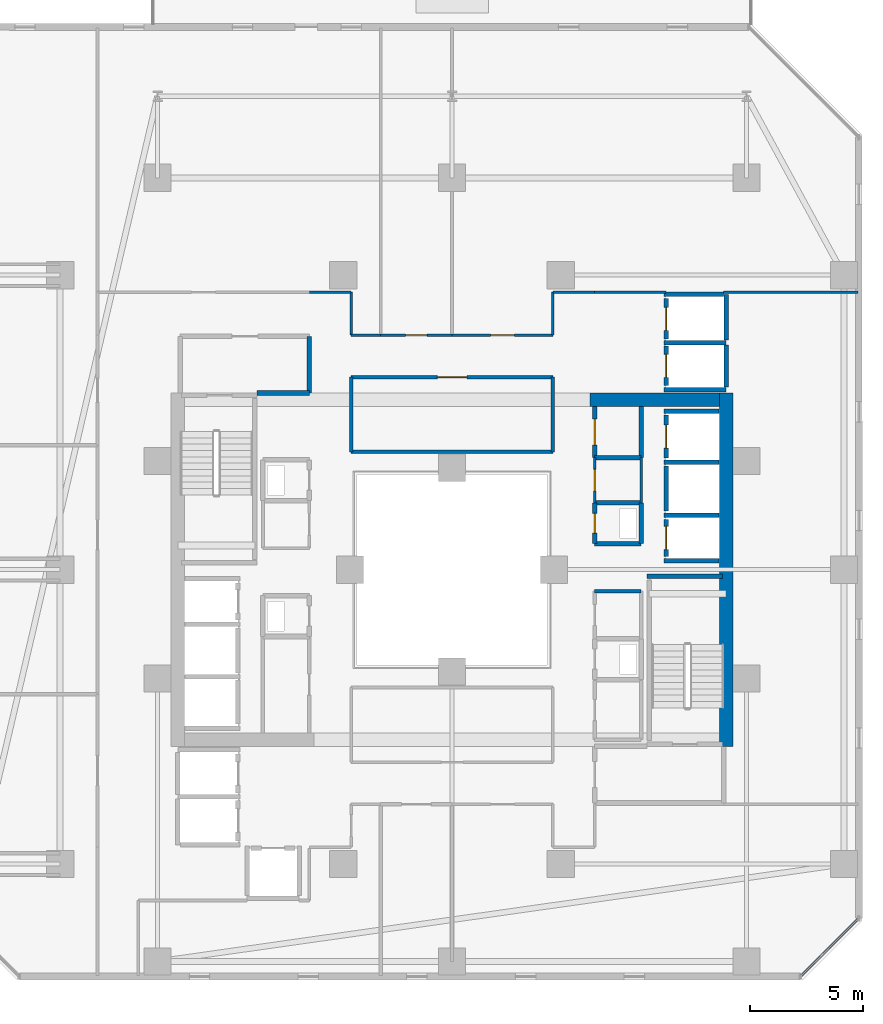
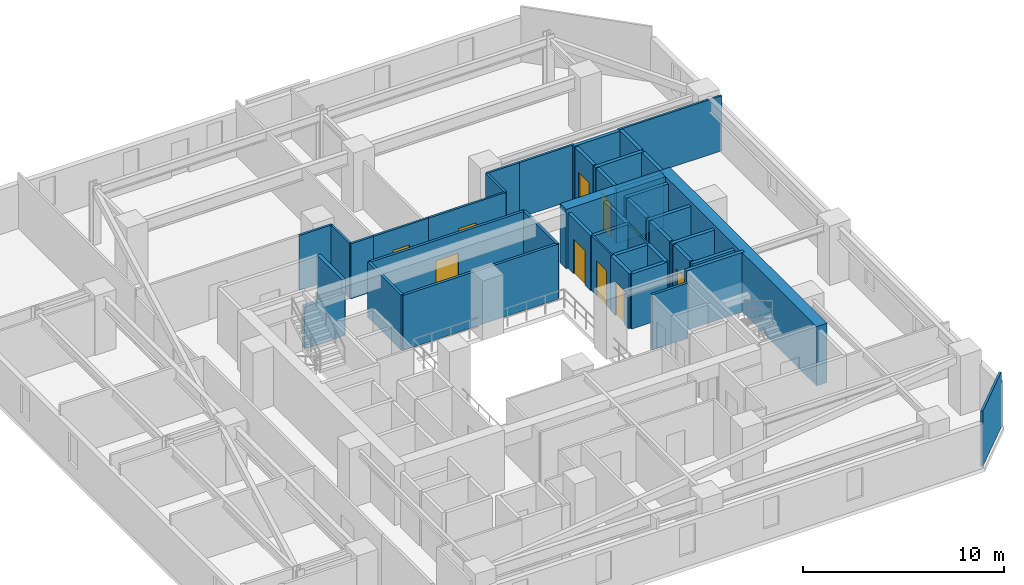
# One storey, part 23 of 31: 43 walls, 10 doors, 10 openings.
"""IFC4 building model written with IfcOpenShell, lengths in metres."""

from ifc_helpers import new_model, si_unit, direction, frame, frame_2d, origin, place, context, subcontext, project, spatial, rectangle, extrude, material, layer, layer_set, type_object, element, fill, save


model = new_model("IFC4")

# Units and contexts
model_context = context("Model", 3, precision=1e-05, world=origin(), true_north=direction((0.0, 1.0)))
body_context = subcontext(model_context, "Body", "Model", "MODEL_VIEW")
ifc_project = project(units=[si_unit("LENGTHUNIT", "METRE"), si_unit("AREAUNIT", "SQUARE_METRE"), si_unit("VOLUMEUNIT", "CUBIC_METRE"), si_unit("PLANEANGLEUNIT", "RADIAN"), si_unit("MASSUNIT", "GRAM", prefix="KILO")], contexts=[model_context])

# Site, building, storey
site_placement = place(None, origin())
site = spatial("IfcSite", under=ifc_project, at=site_placement, CompositionType="ELEMENT")
building_placement = place(site_placement, origin())
building = spatial("IfcBuilding", under=site, at=building_placement, Name="Thornwick Lancets Civic Towers", CompositionType="ELEMENT")
storey_placement = place(building_placement, frame((0.0, 0.0, 90.89990234375)))
storey = spatial("IfcBuildingStorey", under=building, at=storey_placement, Name="L23", CompositionType="ELEMENT", Elevation=90.89990234375)

# Wall, opening, door
ifc_material_1 = material(Name="Concrete blockwork C40/50", Category="masonry")
ifc_layer_1 = layer(ifc_material_1, 0.199951171875, Name="Concrete blockwork C40/50")
ifc_layer_set_1 = layer_set([ifc_layer_1], Name="Concrete blockwork C40/50")
wall_type_1 = type_object("IfcWallType", Name="WALL_COMP_200", PredefinedType="STANDARD", material=ifc_layer_set_1)
wall_1_placement = place(storey_placement, frame((97.949951171875, 29.219970703125, 0.0), z_axis=(0.0, 0.0, 1.0), x_axis=(0.0, -1.0, 0.0)))
wall_1 = element("IfcWall", 1, at=wall_1_placement, inside=storey, type_object=wall_type_1, Name="L23 Hoistway Front Wall FL-B1", PredefinedType="STANDARD", context=body_context, shape_type="SweptSolid", body=[
    extrude(rectangle(XDim=1.639892578125, YDim=0.199951171875, at=frame_2d((0.81982421875, 0.0))), origin(), (0.0, 0.0, 1.0), 3.340087890625),
])
opening_1_placement = place(wall_1_placement, frame((0.31005859375, 0.0, 0.0)))
opening_1 = element("IfcOpeningElement", 2, at=opening_1_placement, cuts=wall_1, Name="Opening LD-FL-B1", PredefinedType="OPENING", context=body_context, shape_type="SweptSolid", body=[
    extrude(rectangle(XDim=1.02001953125, YDim=2.06005859375, at=frame_2d((0.510009765625, 1.030029296875))), frame((0.0, 0.10986328125, 0.0), z_axis=(0.0, -1.0, 0.0), x_axis=(1.0, 0.0, 0.0)), (0.0, 0.0, 1.0), 0.219970703125),
])
ifc_material_2 = material(Name="Brushed bronze stainless steel", Category="steel")
door_type_1 = type_object("IfcDoorType", Name="DOOR_LIFT_SLIDE", OperationType="SLIDING_TO_LEFT", PredefinedType="DOOR", material=ifc_material_2)
door_1_placement = place(opening_1_placement, origin())
door_1 = element("IfcDoor", 3, at=door_1_placement, inside=storey, type_object=door_type_1, Name="L23 Sliding Lift Landing Door LD-FL-B1", OperationType="SLIDING_TO_LEFT", OverallHeight=2.06005859375, OverallWidth=1.02001953125, PredefinedType="DOOR", context=body_context, shape_type="SweptSolid", body=[
    extrude(rectangle(XDim=1.02001953125, YDim=2.06005859375, at=frame_2d((0.510009765625, 1.030029296875))), frame((0.0, 0.02490234375, 0.0), z_axis=(0.0, -1.0, 0.0), x_axis=(1.0, 0.0, 0.0)), (0.0, 0.0, 1.0), 0.050048828125),
])
fill(opening_1, door_1)

# Wall
wall_2_placement = place(storey_placement, frame((97.949951171875, 31.570068359375, 0.0), z_axis=(0.0, 0.0, 1.0), x_axis=(0.0, -1.0, 0.0)))
element("IfcWall", 4, at=wall_2_placement, inside=storey, type_object=wall_type_1, Name="L23 Hoistway Front Wall PL-BH1", PredefinedType="STANDARD", context=body_context, shape_type="SweptSolid", body=[
    extrude(rectangle(XDim=1.989990234375, YDim=0.199951171875, at=frame_2d((0.9951171875, 0.0))), origin(), (0.0, 0.0, 1.0), 3.340087890625),
])

# Wall, opening, door
wall_3_placement = place(storey_placement, frame((97.949951171875, 33.820068359375, 0.0), z_axis=(0.0, 0.0, 1.0), x_axis=(0.0, -1.0, 0.0)))
wall_3 = element("IfcWall", 5, at=wall_3_placement, inside=storey, type_object=wall_type_1, Name="L23 Hoistway Front Wall PL-BL1", PredefinedType="STANDARD", context=body_context, shape_type="SweptSolid", body=[
    extrude(rectangle(XDim=1.89013671875, YDim=0.199951171875, at=frame_2d((0.945068359375, 0.0))), origin(), (0.0, 0.0, 1.0), 3.340087890625),
])
opening_2_placement = place(wall_3_placement, frame((0.43505859375, 0.0, 0.0)))
opening_2 = element("IfcOpeningElement", 6, at=opening_2_placement, cuts=wall_3, Name="Opening LD-PL-BL1", PredefinedType="OPENING", context=body_context, shape_type="SweptSolid", body=[
    extrude(rectangle(XDim=1.02001953125, YDim=2.06005859375, at=frame_2d((0.510009765625, 1.030029296875))), frame((0.0, 0.10986328125, 0.0), z_axis=(0.0, -1.0, 0.0), x_axis=(1.0, 0.0, 0.0)), (0.0, 0.0, 1.0), 0.219970703125),
])
door_2_placement = place(opening_2_placement, origin())
door_2 = element("IfcDoor", 7, at=door_2_placement, inside=storey, type_object=door_type_1, Name="L23 Sliding Lift Landing Door LD-PL-BL1", OperationType="SLIDING_TO_LEFT", OverallHeight=2.06005859375, OverallWidth=1.02001953125, PredefinedType="DOOR", context=body_context, shape_type="SweptSolid", body=[
    extrude(rectangle(XDim=1.02001953125, YDim=2.06005859375, at=frame_2d((0.510009765625, 1.030029296875))), frame((0.0, 0.02490234375, 0.0), z_axis=(0.0, -1.0, 0.0), x_axis=(1.0, 0.0, 0.0)), (0.0, 0.0, 1.0), 0.050048828125),
])
fill(opening_2, door_2)

wall_4_placement = place(storey_placement, frame((97.949951171875, 36.8701171875, 0.0), z_axis=(0.0, 0.0, 1.0), x_axis=(0.0, -1.0, 0.0)))
wall_4 = element("IfcWall", 8, at=wall_4_placement, inside=storey, type_object=wall_type_1, Name="L23 Hoistway Front Wall PL-BL2", PredefinedType="STANDARD", context=body_context, shape_type="SweptSolid", body=[
    extrude(rectangle(XDim=1.740234375, YDim=0.199951171875, at=frame_2d((0.8701171875, 0.0))), origin(), (0.0, 0.0, 1.0), 3.340087890625),
])
opening_3_placement = place(wall_4_placement, frame((0.360107421875, 0.0, 0.0)))
opening_3 = element("IfcOpeningElement", 9, at=opening_3_placement, cuts=wall_4, Name="Opening LD-PL-BL2", PredefinedType="OPENING", context=body_context, shape_type="SweptSolid", body=[
    extrude(rectangle(XDim=1.02001953125, YDim=2.06005859375, at=frame_2d((0.510009765625, 1.030029296875))), frame((0.0, 0.10986328125, 0.0), z_axis=(0.0, -1.0, 0.0), x_axis=(1.0, 0.0, 0.0)), (0.0, 0.0, 1.0), 0.219970703125),
])
door_3_placement = place(opening_3_placement, origin())
door_3 = element("IfcDoor", 10, at=door_3_placement, inside=storey, type_object=door_type_1, Name="L23 Sliding Lift Landing Door LD-PL-BL2", OperationType="SLIDING_TO_LEFT", OverallHeight=2.06005859375, OverallWidth=1.02001953125, PredefinedType="DOOR", context=body_context, shape_type="SweptSolid", body=[
    extrude(rectangle(XDim=1.02001953125, YDim=2.06005859375, at=frame_2d((0.510009765625, 1.030029296875))), frame((0.0, 0.02490234375, 0.0), z_axis=(0.0, -1.0, 0.0), x_axis=(1.0, 0.0, 0.0)), (0.0, 0.0, 1.0), 0.050048828125),
])
fill(opening_3, door_3)

wall_5_placement = place(storey_placement, frame((97.949951171875, 38.969970703125, 0.0), z_axis=(0.0, 0.0, 1.0), x_axis=(0.0, -1.0, 0.0)))
wall_5 = element("IfcWall", 11, at=wall_5_placement, inside=storey, type_object=wall_type_1, Name="L23 Hoistway Front Wall PL-BL3", PredefinedType="STANDARD", context=body_context, shape_type="SweptSolid", body=[
    extrude(rectangle(XDim=1.7900390625, YDim=0.199951171875, at=frame_2d((0.89501953125, 0.0))), origin(), (0.0, 0.0, 1.0), 3.340087890625),
])
opening_4_placement = place(wall_5_placement, frame((0.385009765625, 0.0, 0.0)))
opening_4 = element("IfcOpeningElement", 12, at=opening_4_placement, cuts=wall_5, Name="Opening LD-PL-BL3", PredefinedType="OPENING", context=body_context, shape_type="SweptSolid", body=[
    extrude(rectangle(XDim=1.02001953125, YDim=2.06005859375, at=frame_2d((0.510009765625, 1.030029296875))), frame((0.0, 0.10986328125, 0.0), z_axis=(0.0, -1.0, 0.0), x_axis=(1.0, 0.0, 0.0)), (0.0, 0.0, 1.0), 0.219970703125),
])
door_4_placement = place(opening_4_placement, origin())
door_4 = element("IfcDoor", 13, at=door_4_placement, inside=storey, type_object=door_type_1, Name="L23 Sliding Lift Landing Door LD-PL-BL3", OperationType="SLIDING_TO_LEFT", OverallHeight=2.06005859375, OverallWidth=1.02001953125, PredefinedType="DOOR", context=body_context, shape_type="SweptSolid", body=[
    extrude(rectangle(XDim=1.02001953125, YDim=2.06005859375, at=frame_2d((0.510009765625, 1.030029296875))), frame((0.0, 0.02490234375, 0.0), z_axis=(0.0, -1.0, 0.0), x_axis=(1.0, 0.0, 0.0)), (0.0, 0.0, 1.0), 0.050048828125),
])
fill(opening_4, door_4)

# Walls
for number, where, z_axis, x_axis, name in (
    (14, (97.85205078125, 29.39990234375, 0.0), (0.0, 0.0, 1.0), (1.0, 0.0, 0.0), "L23 Hoistway Shaft Wall FL-B1 N"),
    (15, (97.85205078125, 27.39990234375, 0.0), (0.0, 0.0, 1.0), (1.0, 0.0, 0.0), "L23 Hoistway Shaft Wall FL-B1 S"),
    (16, (97.85205078125, 31.75, 0.0), (0.0, 0.0, 1.0), (1.0, 0.0, 0.0), "L23 Hoistway Shaft Wall PL-BH1 N"),
    (17, (97.85205078125, 34.0, 0.0), (0.0, 0.0, 1.0), (1.0, 0.0, 0.0), "L23 Hoistway Shaft Wall PL-BL1 N"),
):
    element("IfcWall", number, at=place(storey_placement, frame(where, z_axis=z_axis, x_axis=x_axis)), inside=storey, type_object=wall_type_1, Name=name, PredefinedType="STANDARD", context=body_context, shape_type="SweptSolid", body=[
        extrude(rectangle(XDim=2.43603515625, YDim=0.199951171875, at=frame_2d((1.218017578125, 0.0))), origin(), (0.0, 0.0, 1.0), 3.340087890625),
    ])
for number, where, z_axis, x_axis, name in (
    (18, (97.85205078125, 37.02490234375, 0.0), (0.0, 0.0, 1.0), (1.0, 0.0, 0.0), "L23 Hoistway Shaft Wall PL-BL2 N"),
    (19, (97.85205078125, 34.949951171875, 0.0), (0.0, 0.0, 1.0), (1.0, 0.0, 0.0), "L23 Hoistway Shaft Wall PL-BL2 S"),
):
    element("IfcWall", number, at=place(storey_placement, frame(where, z_axis=z_axis, x_axis=x_axis)), inside=storey, type_object=wall_type_1, Name=name, PredefinedType="STANDARD", context=body_context, shape_type="SweptSolid", body=[
        extrude(rectangle(XDim=2.745849609375, YDim=0.199951171875, at=frame_2d((1.373046875, 0.0))), origin(), (0.0, 0.0, 1.0), 3.340087890625),
    ])
wall_6_placement = place(storey_placement, frame((100.60009765625, 35.06201171875, 0.0), z_axis=(0.0, 0.0, 1.0), x_axis=(0.0, 1.0, 0.0)))
element("IfcWall", 20, at=wall_6_placement, inside=storey, type_object=wall_type_1, Name="L23 Hoistway Shaft Wall PL-BL2 E", PredefinedType="STANDARD", context=body_context, shape_type="SweptSolid", body=[
    extrude(rectangle(XDim=1.85595703125, YDim=0.199951171875, at=frame_2d((0.927978515625, 0.0))), origin(), (0.0, 0.0, 1.0), 3.340087890625),
])
wall_7_placement = place(storey_placement, frame((100.60009765625, 37.132080078125, 0.0), z_axis=(0.0, 0.0, 1.0), x_axis=(0.0, 1.0, 0.0)))
element("IfcWall", 21, at=wall_7_placement, inside=storey, type_object=wall_type_1, Name="L23 Hoistway Shaft Wall PL-BL2 E", PredefinedType="STANDARD", context=body_context, shape_type="SweptSolid", body=[
    extrude(rectangle(XDim=2.015869140625, YDim=0.199951171875, at=frame_2d((1.0078125, 0.0))), origin(), (0.0, 0.0, 1.0), 3.340087890625),
])
wall_8_placement = place(storey_placement, frame((97.85205078125, 39.14990234375, 0.0), z_axis=(0.0, 0.0, 1.0), x_axis=(1.0, 0.0, 0.0)))
element("IfcWall", 22, at=wall_8_placement, inside=storey, type_object=wall_type_1, Name="L23 Hoistway Shaft Wall PL-BL3 N", PredefinedType="STANDARD", context=body_context, shape_type="SweptSolid", body=[
    extrude(rectangle(XDim=2.635986328125, YDim=0.199951171875, at=frame_2d((1.31787109375, 0.0))), origin(), (0.0, 0.0, 1.0), 3.340087890625),
])
wall_9_placement = place(storey_placement, frame((79.89990234375, 34.800048828125, 0.0), z_axis=(0.0, 0.0, 1.0), x_axis=(1.0, 0.0, 0.0)))
element("IfcWall", 23, at=wall_9_placement, inside=storey, type_object=wall_type_1, Name="L23 Partition L23-B-FFLOB2 E1", PredefinedType="STANDARD", context=body_context, shape_type="SweptSolid", body=[
    extrude(rectangle(XDim=2.300048828125, YDim=0.199951171875, at=frame_2d((1.14990234375, 0.0))), origin(), (0.0, 0.0, 1.0), 2.545166015625),
])
wall_10_placement = place(storey_placement, frame((82.199951171875, 34.800048828125, 0.0), z_axis=(0.0, 0.0, 1.0), x_axis=(0.0, 1.0, 0.0)))
element("IfcWall", 24, at=wall_10_placement, inside=storey, type_object=wall_type_1, Name="L23 Partition L23-B-FFLOB2 E2", PredefinedType="STANDARD", context=body_context, shape_type="SweptSolid", body=[
    extrude(rectangle(XDim=2.5, YDim=0.199951171875, at=frame_2d((1.25, 0.0))), origin(), (0.0, 0.0, 1.0), 3.340087890625),
])
wall_11_placement = place(storey_placement, frame((94.800048828125, 28.14990234375, 0.0), z_axis=(0.0, 0.0, 1.0), x_axis=(1.0, 0.0, 0.0)))
element("IfcWall", 25, at=wall_11_placement, inside=storey, type_object=wall_type_1, Name="L23 Partition L23-B-DUCT1 E1", PredefinedType="STANDARD", context=body_context, shape_type="SweptSolid", body=[
    extrude(rectangle(XDim=2.050048828125, YDim=0.199951171875, at=frame_2d((1.02490234375, 0.0))), origin(), (0.0, 0.0, 1.0), 3.340087890625),
])
wall_12_placement = place(storey_placement, frame((96.85009765625, 28.14990234375, 0.0), z_axis=(0.0, 0.0, 1.0), x_axis=(0.0, 1.0, 0.0)))
element("IfcWall", 26, at=wall_12_placement, inside=storey, type_object=wall_type_1, Name="L23 Partition L23-B-DUCT1 E2", PredefinedType="STANDARD", context=body_context, shape_type="SweptSolid", body=[
    extrude(rectangle(XDim=1.800048828125, YDim=0.199951171875, at=frame_2d((0.89990234375, 0.0))), origin(), (0.0, 0.0, 1.0), 3.340087890625),
])
wall_13_placement = place(storey_placement, frame((96.85009765625, 29.949951171875, 0.0), z_axis=(0.0, 0.0, 1.0), x_axis=(-1.0, 0.0, 0.0)))
element("IfcWall", 27, at=wall_13_placement, inside=storey, type_object=wall_type_1, Name="L23 Partition L23-B-DUCT1 E3", PredefinedType="STANDARD", context=body_context, shape_type="SweptSolid", body=[
    extrude(rectangle(XDim=2.050048828125, YDim=0.199951171875, at=frame_2d((1.02490234375, 0.0))), origin(), (0.0, 0.0, 1.0), 3.340087890625),
])

# Wall, opening, door
wall_14_placement = place(storey_placement, frame((94.800048828125, 29.949951171875, 0.0), z_axis=(0.0, 0.0, 1.0), x_axis=(0.0, -1.0, 0.0)))
wall_14 = element("IfcWall", 28, at=wall_14_placement, inside=storey, type_object=wall_type_1, Name="L23 Partition L23-B-DUCT1 E4", PredefinedType="STANDARD", context=body_context, shape_type="SweptSolid", body=[
    extrude(rectangle(XDim=1.800048828125, YDim=0.199951171875, at=frame_2d((0.89990234375, 0.0))), origin(), (0.0, 0.0, 1.0), 3.340087890625),
])
opening_5_placement = place(wall_14_placement, frame((0.4599609375, 0.0, 0.0)))
opening_5 = element("IfcOpeningElement", 29, at=opening_5_placement, cuts=wall_14, Name="Opening D-L23-1071", PredefinedType="OPENING", context=body_context, shape_type="SweptSolid", body=[
    extrude(rectangle(XDim=0.8798828125, YDim=2.0400390625, at=frame_2d((0.43994140625, 1.02001953125))), frame((0.0, 0.10986328125, 0.0), z_axis=(0.0, -1.0, 0.0), x_axis=(1.0, 0.0, 0.0)), (0.0, 0.0, 1.0), 0.219970703125),
])
ifc_material_3 = material(Name="Steel riser access doorset", Category="steel")
door_type_2 = type_object("IfcDoorType", Name="DOOR_RISER_850", OperationType="NOTDEFINED", PredefinedType="DOOR", material=ifc_material_3)
door_5_placement = place(opening_5_placement, origin())
door_5 = element("IfcDoor", 30, at=door_5_placement, inside=storey, type_object=door_type_2, Name="L23 East Service Duct 1 Door", OperationType="SINGLE_SWING_RIGHT", OverallHeight=2.0400390625, OverallWidth=0.8798828125, PredefinedType="DOOR", context=body_context, shape_type="SweptSolid", body=[
    extrude(rectangle(XDim=0.8798828125, YDim=2.0400390625, at=frame_2d((0.43994140625, 1.02001953125))), frame((0.0, 0.02490234375, 0.0), z_axis=(0.0, -1.0, 0.0), x_axis=(1.0, 0.0, 0.0)), (0.0, 0.0, 1.0), 0.050048828125),
])
fill(opening_5, door_5)

wall_15_placement = place(storey_placement, frame((94.800048828125, 31.949951171875, 0.0), z_axis=(0.0, 0.0, 1.0), x_axis=(0.0, 1.0, 0.0)))
wall_15 = element("IfcWall", 31, at=wall_15_placement, inside=storey, type_object=wall_type_1, Name="L23 Partition L23-B-ITR2 E1", PredefinedType="STANDARD", context=body_context, shape_type="SweptSolid", body=[
    extrude(rectangle(XDim=2.25, YDim=0.199951171875, at=frame_2d((1.125, 0.0))), origin(), (0.0, 0.0, 1.0), 3.340087890625),
])
opening_6_placement = place(wall_15_placement, frame((0.550048828125, 0.0, 0.0)))
opening_6 = element("IfcOpeningElement", 32, at=opening_6_placement, cuts=wall_15, Name="Opening D-L23-1078", PredefinedType="OPENING", context=body_context, shape_type="SweptSolid", body=[
    extrude(rectangle(XDim=1.14990234375, YDim=2.10009765625, at=frame_2d((0.574951171875, 1.050048828125))), frame((0.0, 0.10986328125, 0.0), z_axis=(0.0, -1.0, 0.0), x_axis=(1.0, 0.0, 0.0)), (0.0, 0.0, 1.0), 0.219970703125),
])
ifc_material_4 = material(Name="Glazed fire-resisting steel", Category="steel")
door_type_3 = type_object("IfcDoorType", Name="DOOR_LOBBY_FD60", OperationType="NOTDEFINED", PredefinedType="DOOR", material=ifc_material_4)
door_6_placement = place(opening_6_placement, origin())
door_6 = element("IfcDoor", 33, at=door_6_placement, inside=storey, type_object=door_type_3, Name="L23 Tower B Statutory Core Archive Door", OperationType="SINGLE_SWING_LEFT", OverallHeight=2.10009765625, OverallWidth=1.14990234375, PredefinedType="DOOR", context=body_context, shape_type="SweptSolid", body=[
    extrude(rectangle(XDim=1.14990234375, YDim=2.10009765625, at=frame_2d((0.574951171875, 1.050048828125))), frame((0.0, 0.02490234375, 0.0), z_axis=(0.0, -1.0, 0.0), x_axis=(1.0, 0.0, 0.0)), (0.0, 0.0, 1.0), 0.050048828125),
])
fill(opening_6, door_6)

# Walls
wall_16_placement = place(storey_placement, frame((96.85009765625, 34.199951171875, 0.0), z_axis=(0.0, 0.0, 1.0), x_axis=(0.0, -1.0, 0.0)))
element("IfcWall", 34, at=wall_16_placement, inside=storey, type_object=wall_type_1, Name="L23 Partition L23-B-ITR2 E3", PredefinedType="STANDARD", context=body_context, shape_type="SweptSolid", body=[
    extrude(rectangle(XDim=2.25, YDim=0.199951171875, at=frame_2d((1.125, 0.0))), origin(), (0.0, 0.0, 1.0), 3.340087890625),
])
wall_17_placement = place(storey_placement, frame((96.85009765625, 31.949951171875, 0.0), z_axis=(0.0, 0.0, 1.0), x_axis=(-1.0, 0.0, 0.0)))
element("IfcWall", 35, at=wall_17_placement, inside=storey, type_object=wall_type_1, Name="L23 Partition L23-B-ITR2 E4", PredefinedType="STANDARD", context=body_context, shape_type="SweptSolid", body=[
    extrude(rectangle(XDim=2.050048828125, YDim=0.199951171875, at=frame_2d((1.02490234375, 0.0))), origin(), (0.0, 0.0, 1.0), 3.340087890625),
])
ifc_material_5 = material(Name="Concrete C60/75", Category="concrete")
ifc_layer_2 = layer(ifc_material_5, 0.60009765625, Name="Concrete C60/75")
ifc_layer_set_2 = layer_set([ifc_layer_2], Name="Concrete C60/75")
wall_type_2 = type_object("IfcWallType", Name="WALL_CORE_600", PredefinedType="SHEAR", material=ifc_layer_set_2)
wall_18_placement = place(storey_placement, frame((100.60009765625, 19.199951171875, 0.0), z_axis=(0.0, 0.0, 1.0), x_axis=(0.0, 1.0, 0.0)))
element("IfcWall", 36, at=wall_18_placement, inside=storey, type_object=wall_type_2, Name="L23 Split Core B1 Shear Wall E", PredefinedType="SHEAR", context=body_context, shape_type="SweptSolid", body=[
    extrude(rectangle(XDim=15.60009765625, YDim=0.60009765625, at=frame_2d((7.800048828125, 0.0))), origin(), (0.0, 0.0, 1.0), 3.60009765625),
])
wall_19_placement = place(storey_placement, frame((94.60009765625, 34.5, 0.0), z_axis=(0.0, 0.0, 1.0), x_axis=(1.0, 0.0, 0.0)))
element("IfcWall", 37, at=wall_19_placement, inside=storey, type_object=wall_type_2, Name="L23 Split Core B1 Shear Wall N", PredefinedType="SHEAR", context=body_context, shape_type="SweptSolid", body=[
    extrude(rectangle(XDim=5.699951171875, YDim=0.60009765625, at=frame_2d((2.85009765625, 0.0))), origin(), (0.0, 0.0, 1.0), 3.60009765625),
])

# Wall, opening, door
ifc_material_6 = material(Name="Lightweight cellular office partition")
ifc_layer_3 = layer(ifc_material_6, 0.10009765625, Name="Lightweight cellular office partition")
ifc_layer_set_3 = layer_set([ifc_layer_3], Name="Lightweight cellular office partition")
wall_type_3 = type_object("IfcWallType", Name="WALL_PART_100", PredefinedType="PARTITIONING", material=ifc_layer_set_3)
wall_20_placement = place(storey_placement, frame((94.800048828125, 29.949951171875, 0.0), z_axis=(0.0, 0.0, 1.0), x_axis=(0.0, 1.0, 0.0)))
wall_20 = element("IfcWall", 38, at=wall_20_placement, inside=storey, type_object=wall_type_3, Name="L23 Partition L23-B-CLN E1", PredefinedType="PARTITIONING", context=body_context, shape_type="SweptSolid", body=[
    extrude(rectangle(XDim=2.0, YDim=0.10009765625, at=frame_2d((1.0, 0.0))), origin(), (0.0, 0.0, 1.0), 3.340087890625),
])
opening_7_placement = place(wall_20_placement, frame((0.52490234375, 0.0, 0.0)))
opening_7 = element("IfcOpeningElement", 39, at=opening_7_placement, cuts=wall_20, Name="Opening D-L23-1077", PredefinedType="OPENING", context=body_context, shape_type="SweptSolid", body=[
    extrude(rectangle(XDim=0.949951171875, YDim=2.10009765625, at=frame_2d((0.47509765625, 1.050048828125))), frame((0.0, 0.06005859375, 0.0), z_axis=(0.0, -1.0, 0.0), x_axis=(1.0, 0.0, 0.0)), (0.0, 0.0, 1.0), 0.1201171875),
])
ifc_material_7 = material(Name="European oak acoustic doorset")
door_type_4 = type_object("IfcDoorType", Name="DOOR_OFFICE_950", OperationType="NOTDEFINED", PredefinedType="DOOR", material=ifc_material_7)
door_7_placement = place(opening_7_placement, origin())
door_7 = element("IfcDoor", 40, at=door_7_placement, inside=storey, type_object=door_type_4, Name="L23 Tower B Cleaners Store Door", OperationType="SINGLE_SWING_RIGHT", OverallHeight=2.10009765625, OverallWidth=0.949951171875, PredefinedType="DOOR", context=body_context, shape_type="SweptSolid", body=[
    extrude(rectangle(XDim=0.949951171875, YDim=2.10009765625, at=frame_2d((0.47509765625, 1.050048828125))), frame((0.0, 0.02490234375, 0.0), z_axis=(0.0, -1.0, 0.0), x_axis=(1.0, 0.0, 0.0)), (0.0, 0.0, 1.0), 0.050048828125),
])
fill(opening_7, door_7)

# Walls
wall_21_placement = place(storey_placement, frame((96.85009765625, 31.949951171875, 0.0), z_axis=(0.0, 0.0, 1.0), x_axis=(0.0, -1.0, 0.0)))
element("IfcWall", 41, at=wall_21_placement, inside=storey, type_object=wall_type_3, Name="L23 Partition L23-B-CLN E3", PredefinedType="PARTITIONING", context=body_context, shape_type="SweptSolid", body=[
    extrude(rectangle(XDim=2.0, YDim=0.10009765625, at=frame_2d((1.0, 0.0))), origin(), (0.0, 0.0, 1.0), 3.340087890625),
])
ifc_material_8 = material(Name="Acoustic gypsum board partition")
ifc_layer_4 = layer(ifc_material_8, 0.1201171875, Name="Acoustic gypsum board partition")
ifc_layer_set_4 = layer_set([ifc_layer_4], Name="Acoustic gypsum board partition")
wall_type_4 = type_object("IfcWallType", Name="WALL_PART_120", PredefinedType="PARTITIONING", material=ifc_layer_set_4)
wall_22_placement = place(storey_placement, frame((106.419921875, 11.57470703125, 0.0), z_axis=(0.0, 0.0, 1.0), x_axis=(-0.707106781187, -0.707106781187, 0.0)))
element("IfcWall", 42, at=wall_22_placement, inside=storey, type_object=wall_type_4, Name="L23 Partition L23-B-W1 E6", PredefinedType="PARTITIONING", context=body_context, shape_type="SweptSolid", body=[
    extrude(rectangle(XDim=3.52783203125, YDim=0.1201171875, at=frame_2d((1.763916015625, 0.0))), origin(), (0.0, 0.0, 1.0), 3.340087890625),
])
wall_23_placement = place(storey_placement, frame((106.419921875, 39.25, 0.0), z_axis=(0.0, 0.0, 1.0), x_axis=(-1.0, 0.0, 0.0)))
element("IfcWall", 43, at=wall_23_placement, inside=storey, type_object=wall_type_4, Name="L23 Partition L23-B-E1 E2", PredefinedType="PARTITIONING", context=body_context, shape_type="SweptSolid", body=[
    extrude(rectangle(XDim=5.931884765625, YDim=0.1201171875, at=frame_2d((2.9658203125, 0.0))), origin(), (0.0, 0.0, 1.0), 3.340087890625),
])
wall_24_placement = place(storey_placement, frame((97.949951171875, 39.25, 0.0), z_axis=(0.0, 0.0, 1.0), x_axis=(-1.0, 0.0, 0.0)))
element("IfcWall", 44, at=wall_24_placement, inside=storey, type_object=wall_type_4, Name="L23 Partition L23-B-E1 E3", PredefinedType="PARTITIONING", context=body_context, shape_type="SweptSolid", body=[
    extrude(rectangle(XDim=3.14990234375, YDim=0.1201171875, at=frame_2d((1.574951171875, 0.0))), origin(), (0.0, 0.0, 1.0), 3.340087890625),
])
wall_25_placement = place(storey_placement, frame((94.800048828125, 39.25, 0.0), z_axis=(0.0, 0.0, 1.0), x_axis=(-1.0, 0.0, 0.0)))
element("IfcWall", 45, at=wall_25_placement, inside=storey, type_object=wall_type_4, Name="L23 Partition L23-B-E1 E4", PredefinedType="PARTITIONING", context=body_context, shape_type="SweptSolid", body=[
    extrude(rectangle(XDim=1.85009765625, YDim=0.1201171875, at=frame_2d((0.925048828125, 0.0))), origin(), (0.0, 0.0, 1.0), 3.340087890625),
])
wall_26_placement = place(storey_placement, frame((92.949951171875, 39.25, 0.0), z_axis=(0.0, 0.0, 1.0), x_axis=(0.0, -1.0, 0.0)))
element("IfcWall", 46, at=wall_26_placement, inside=storey, type_object=wall_type_4, Name="L23 Partition L23-B-E1 E5", PredefinedType="PARTITIONING", context=body_context, shape_type="SweptSolid", body=[
    extrude(rectangle(XDim=1.89990234375, YDim=0.1201171875, at=frame_2d((0.949951171875, 0.0))), origin(), (0.0, 0.0, 1.0), 3.340087890625),
])

# Wall, opening, door
wall_27_placement = place(storey_placement, frame((92.949951171875, 37.35009765625, 0.0), z_axis=(0.0, 0.0, 1.0), x_axis=(-1.0, 0.0, 0.0)))
wall_27 = element("IfcWall", 47, at=wall_27_placement, inside=storey, type_object=wall_type_4, Name="L23 Partition L23-B-E1 E6", PredefinedType="PARTITIONING", context=body_context, shape_type="SweptSolid", body=[
    extrude(rectangle(XDim=4.449951171875, YDim=0.1201171875, at=frame_2d((2.22509765625, 0.0))), origin(), (0.0, 0.0, 1.0), 3.340087890625),
])
opening_8_placement = place(wall_27_placement, frame((1.699951171875, 0.0, 0.0)))
opening_8 = element("IfcOpeningElement", 48, at=opening_8_placement, cuts=wall_27, Name="Opening D-L23-1095", PredefinedType="OPENING", context=body_context, shape_type="SweptSolid", body=[
    extrude(rectangle(XDim=1.050048828125, YDim=2.10009765625, at=frame_2d((0.52490234375, 1.050048828125))), frame((0.0, 0.070068359375, 0.0), z_axis=(0.0, -1.0, 0.0), x_axis=(1.0, 0.0, 0.0)), (0.0, 0.0, 1.0), 0.14013671875),
])
ifc_material_9 = material(Name="Glazed European oak executive doorset")
door_type_5 = type_object("IfcDoorType", Name="DOOR_OFFICE_1050", OperationType="NOTDEFINED", PredefinedType="DOOR", material=ifc_material_9)
door_8_placement = place(opening_8_placement, origin())
door_8 = element("IfcDoor", 49, at=door_8_placement, inside=storey, type_object=door_type_5, Name="L23 Tower B Secretariat Open Office E1 Door", OperationType="SINGLE_SWING_RIGHT", OverallHeight=2.10009765625, OverallWidth=1.050048828125, PredefinedType="DOOR", context=body_context, shape_type="SweptSolid", body=[
    extrude(rectangle(XDim=1.050048828125, YDim=2.10009765625, at=frame_2d((0.52490234375, 1.050048828125))), frame((0.0, 0.02490234375, 0.0), z_axis=(0.0, -1.0, 0.0), x_axis=(1.0, 0.0, 0.0)), (0.0, 0.0, 1.0), 0.050048828125),
])
fill(opening_8, door_8)

wall_28_placement = place(storey_placement, frame((88.5, 37.35009765625, 0.0), z_axis=(0.0, 0.0, 1.0), x_axis=(-1.0, 0.0, 0.0)))
wall_28 = element("IfcWall", 50, at=wall_28_placement, inside=storey, type_object=wall_type_4, Name="L23 Partition L23-B-E2 E4", PredefinedType="PARTITIONING", context=body_context, shape_type="SweptSolid", body=[
    extrude(rectangle(XDim=3.14990234375, YDim=0.1201171875, at=frame_2d((1.574951171875, 0.0))), origin(), (0.0, 0.0, 1.0), 3.340087890625),
])
opening_9_placement = place(wall_28_placement, frame((1.10009765625, 0.0, 0.0)))
opening_9 = element("IfcOpeningElement", 51, at=opening_9_placement, cuts=wall_28, Name="Opening D-L23-1096", PredefinedType="OPENING", context=body_context, shape_type="SweptSolid", body=[
    extrude(rectangle(XDim=0.949951171875, YDim=2.10009765625, at=frame_2d((0.47509765625, 1.050048828125))), frame((0.0, 0.070068359375, 0.0), z_axis=(0.0, -1.0, 0.0), x_axis=(1.0, 0.0, 0.0)), (0.0, 0.0, 1.0), 0.14013671875),
])
door_9_placement = place(opening_9_placement, origin())
door_9 = element("IfcDoor", 52, at=door_9_placement, inside=storey, type_object=door_type_4, Name="L23 Tower B Visitors Reception and Waiting Door", OperationType="SINGLE_SWING_LEFT", OverallHeight=2.10009765625, OverallWidth=0.949951171875, PredefinedType="DOOR", context=body_context, shape_type="SweptSolid", body=[
    extrude(rectangle(XDim=0.949951171875, YDim=2.10009765625, at=frame_2d((0.47509765625, 1.050048828125))), frame((0.0, 0.02490234375, 0.0), z_axis=(0.0, -1.0, 0.0), x_axis=(1.0, 0.0, 0.0)), (0.0, 0.0, 1.0), 0.050048828125),
])
fill(opening_9, door_9)

# Walls
wall_29_placement = place(storey_placement, frame((84.050048828125, 37.35009765625, 0.0), z_axis=(0.0, 0.0, 1.0), x_axis=(0.0, 1.0, 0.0)))
element("IfcWall", 53, at=wall_29_placement, inside=storey, type_object=wall_type_4, Name="L23 Partition L23-B-E3 E1", PredefinedType="PARTITIONING", context=body_context, shape_type="SweptSolid", body=[
    extrude(rectangle(XDim=1.89990234375, YDim=0.1201171875, at=frame_2d((0.949951171875, 0.0))), origin(), (0.0, 0.0, 1.0), 3.340087890625),
])
wall_30_placement = place(storey_placement, frame((84.050048828125, 39.25, 0.0), z_axis=(0.0, 0.0, 1.0), x_axis=(-1.0, 0.0, 0.0)))
element("IfcWall", 54, at=wall_30_placement, inside=storey, type_object=wall_type_4, Name="L23 Partition L23-B-E3 E2", PredefinedType="PARTITIONING", context=body_context, shape_type="SweptSolid", body=[
    extrude(rectangle(XDim=1.85009765625, YDim=0.1201171875, at=frame_2d((0.925048828125, 0.0))), origin(), (0.0, 0.0, 1.0), 3.340087890625),
])
wall_31_placement = place(storey_placement, frame((85.35009765625, 37.35009765625, 0.0), z_axis=(0.0, 0.0, 1.0), x_axis=(-1.0, 0.0, 0.0)))
element("IfcWall", 55, at=wall_31_placement, inside=storey, type_object=wall_type_4, Name="L23 Partition L23-B-E3 E7", PredefinedType="PARTITIONING", context=body_context, shape_type="SweptSolid", body=[
    extrude(rectangle(XDim=1.300048828125, YDim=0.1201171875, at=frame_2d((0.64990234375, 0.0))), origin(), (0.0, 0.0, 1.0), 3.340087890625),
])
ifc_material_10 = material(Name="Twin-stud acoustic gypsum board")
ifc_layer_5 = layer(ifc_material_10, 0.14990234375, Name="Twin-stud acoustic gypsum board")
ifc_layer_set_5 = layer_set([ifc_layer_5], Name="Twin-stud acoustic gypsum board")
wall_type_5 = type_object("IfcWallType", Name="WALL_PART_150", PredefinedType="PARTITIONING", material=ifc_layer_set_5)
wall_32_placement = place(storey_placement, frame((94.800048828125, 26.050048828125, 0.0), z_axis=(0.0, 0.0, 1.0), x_axis=(1.0, 0.0, 0.0)))
element("IfcWall", 56, at=wall_32_placement, inside=storey, type_object=wall_type_5, Name="L23 Partition L23-B-AWC E2", PredefinedType="PARTITIONING", context=body_context, shape_type="SweptSolid", body=[
    extrude(rectangle(XDim=2.050048828125, YDim=0.14990234375, at=frame_2d((1.02490234375, 0.0))), origin(), (0.0, 0.0, 1.0), 3.340087890625),
])
wall_33_placement = place(storey_placement, frame((84.050048828125, 32.199951171875, 0.0), z_axis=(0.0, 0.0, 1.0), x_axis=(0.0, 1.0, 0.0)))
element("IfcWall", 57, at=wall_33_placement, inside=storey, type_object=wall_type_5, Name="L23 Partition L23-B-ATR-E E1", PredefinedType="PARTITIONING", context=body_context, shape_type="SweptSolid", body=[
    extrude(rectangle(XDim=3.300048828125, YDim=0.14990234375, at=frame_2d((1.64990234375, 0.0))), origin(), (0.0, 0.0, 1.0), 3.340087890625),
])

# Wall, opening, door
wall_34_placement = place(storey_placement, frame((84.050048828125, 35.5, 0.0), z_axis=(0.0, 0.0, 1.0), x_axis=(1.0, 0.0, 0.0)))
wall_34 = element("IfcWall", 58, at=wall_34_placement, inside=storey, type_object=wall_type_5, Name="L23 Partition L23-B-ATR-E E2", PredefinedType="PARTITIONING", context=body_context, shape_type="SweptSolid", body=[
    extrude(rectangle(XDim=8.89990234375, YDim=0.14990234375, at=frame_2d((4.449951171875, 0.0))), origin(), (0.0, 0.0, 1.0), 3.340087890625),
])
opening_10_placement = place(wall_34_placement, frame((3.800048828125, 0.0, 0.0)))
opening_10 = element("IfcOpeningElement", 59, at=opening_10_placement, cuts=wall_34, Name="Opening D-L23-1098", PredefinedType="OPENING", context=body_context, shape_type="SweptSolid", body=[
    extrude(rectangle(XDim=1.300048828125, YDim=2.1201171875, at=frame_2d((0.64990234375, 1.06005859375))), frame((0.0, 0.0849609375, 0.0), z_axis=(0.0, -1.0, 0.0), x_axis=(1.0, 0.0, 0.0)), (0.0, 0.0, 1.0), 0.169921875),
])
ifc_material_11 = material(Name="Acoustic oak leaf-and-a-half doorset")
door_type_6 = type_object("IfcDoorType", Name="DOOR_MEET_1300", OperationType="DOUBLE_DOOR_SINGLE_SWING", PredefinedType="DOOR", material=ifc_material_11)
door_10_placement = place(opening_10_placement, origin())
door_10 = element("IfcDoor", 60, at=door_10_placement, inside=storey, type_object=door_type_6, Name="L23 Tower B East Atrium Briefing Suite Door", OperationType="DOUBLE_DOOR_SINGLE_SWING", OverallHeight=2.1201171875, OverallWidth=1.300048828125, PredefinedType="DOOR", context=body_context, shape_type="SweptSolid", body=[
    extrude(rectangle(XDim=1.300048828125, YDim=2.1201171875, at=frame_2d((0.64990234375, 1.06005859375))), frame((0.0, 0.02490234375, 0.0), z_axis=(0.0, -1.0, 0.0), x_axis=(1.0, 0.0, 0.0)), (0.0, 0.0, 1.0), 0.050048828125),
])
fill(opening_10, door_10)

# Walls
wall_35_placement = place(storey_placement, frame((92.949951171875, 35.5, 0.0), z_axis=(0.0, 0.0, 1.0), x_axis=(0.0, -1.0, 0.0)))
element("IfcWall", 61, at=wall_35_placement, inside=storey, type_object=wall_type_5, Name="L23 Partition L23-B-ATR-E E3", PredefinedType="PARTITIONING", context=body_context, shape_type="SweptSolid", body=[
    extrude(rectangle(XDim=3.300048828125, YDim=0.14990234375, at=frame_2d((1.64990234375, 0.0))), origin(), (0.0, 0.0, 1.0), 3.340087890625),
])
wall_36_placement = place(storey_placement, frame((92.949951171875, 32.199951171875, 0.0), z_axis=(0.0, 0.0, 1.0), x_axis=(-1.0, 0.0, 0.0)))
element("IfcWall", 62, at=wall_36_placement, inside=storey, type_object=wall_type_5, Name="L23 Partition L23-B-ATR-E E4", PredefinedType="PARTITIONING", context=body_context, shape_type="SweptSolid", body=[
    extrude(rectangle(XDim=8.89990234375, YDim=0.14990234375, at=frame_2d((4.449951171875, 0.0))), origin(), (0.0, 0.0, 1.0), 3.340087890625),
])
ifc_material_12 = material(Name="Concrete C40/50", Category="concrete")
ifc_layer_6 = layer(ifc_material_12, 0.199951171875, Name="Concrete C40/50")
ifc_layer_set_6 = layer_set([ifc_layer_6], Name="Concrete C40/50")
wall_type_6 = type_object("IfcWallType", Name="WALL_SHAFT_200", PredefinedType="SHEAR", material=ifc_layer_set_6)
wall_37_placement = place(storey_placement, frame((97.10009765625, 26.699951171875, 0.0), z_axis=(0.0, 0.0, 1.0), x_axis=(1.0, 0.0, 0.0)))
element("IfcWall", 63, at=wall_37_placement, inside=storey, type_object=wall_type_6, Name="L23 ST-B1 Fire Stair Core Wall FAR", PredefinedType="SHEAR", context=body_context, shape_type="SweptSolid", body=[
    extrude(rectangle(XDim=3.349853515625, YDim=0.199951171875, at=frame_2d((1.6748046875, 0.0))), origin(), (0.0, 0.0, 1.0), 3.60009765625),
])

save(model, "model.ifc")
